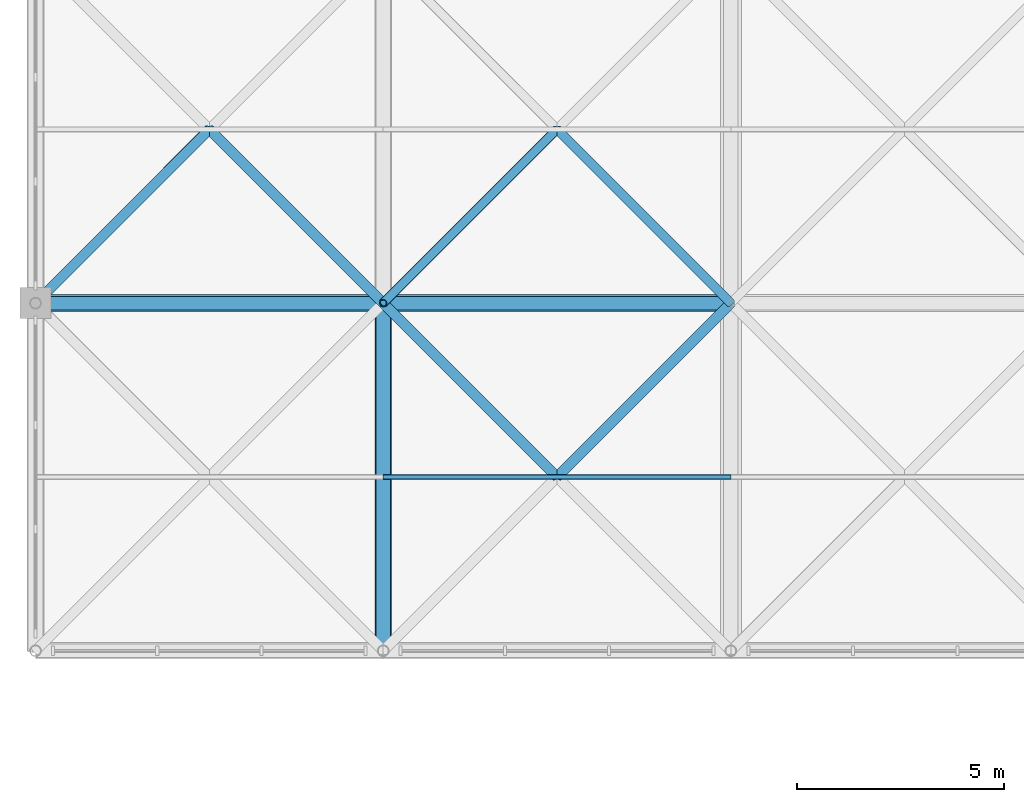
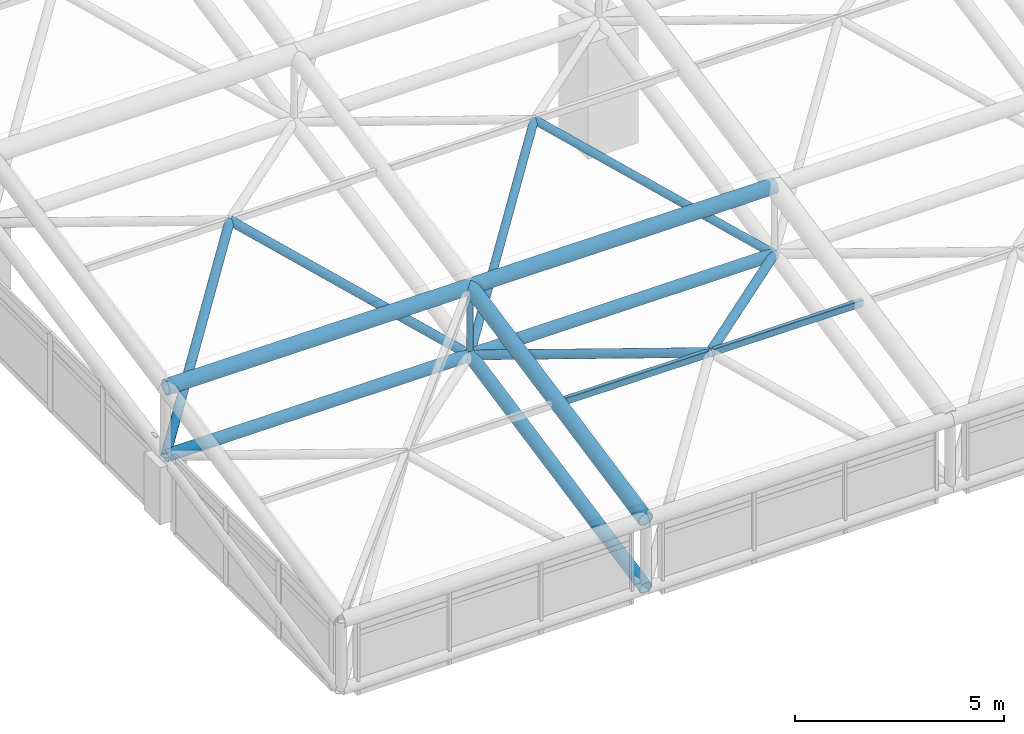
# One storey, part 5 of 81: 14 members.
"""IFC4 building model written with IfcOpenShell, lengths in metres."""

from ifc_helpers import new_model, si_unit, direction, frame, origin, origin_2d, place, context, subcontext, project, spatial, hollow_rectangle, hollow_circle, extrude, material, material_profile, profile_set, type_object, element, save


model = new_model("IFC4")

# Units and contexts
model_context = context("Model", 3, precision=1e-05, world=origin(), true_north=direction((0.0, 1.0)))
body_context = subcontext(model_context, "Body", "Model", "MODEL_VIEW")
ifc_project = project(units=[si_unit("LENGTHUNIT", "METRE"), si_unit("AREAUNIT", "SQUARE_METRE"), si_unit("VOLUMEUNIT", "CUBIC_METRE"), si_unit("PLANEANGLEUNIT", "RADIAN"), si_unit("MASSUNIT", "GRAM", prefix="KILO")], contexts=[model_context])

# Site, building, storey
site_placement = place(None, origin())
site = spatial("IfcSite", under=ifc_project, at=site_placement, CompositionType="ELEMENT")
building_placement = place(site_placement, origin())
building = spatial("IfcBuilding", under=site, at=building_placement, Name="Qawsi Khor Wholesale Market", CompositionType="ELEMENT")
storey_placement = place(building_placement, frame((0.0, 0.0, 16.199951171875)))
storey = spatial("IfcBuildingStorey", under=building, at=storey_placement, Name="L03", CompositionType="ELEMENT", Elevation=16.199951171875)

# Members
ifc_material = material(Name="Steel S355", Category="steel")
ifc_material_profile_1 = material_profile(ifc_material, hollow_circle(Radius=0.177734375, WallThickness=0.01611328125, at=origin_2d()), Name="CHS 355.6x16.0")
ifc_profile_set_1 = profile_set([ifc_material_profile_1], Name="Steel S355")
member_type_1 = type_object("IfcMemberType", Name="Space-Frame Bottom Chord CHS 355.6x16.0", PredefinedType="CHORD", material=ifc_profile_set_1)
member_1_placement = place(storey_placement, frame((8.39990234375, 42.0, -0.030029296875), z_axis=(0.0, 0.9801244518, 0.198383615716), x_axis=(-1.0, 0.0, 0.0)))
element("IfcMember", 1, at=member_1_placement, inside=storey, type_object=member_type_1, Name="Space frame bottom chord Y WH (1,5)", PredefinedType="CHORD", context=body_context, shape_type="SweptSolid", body=[
    extrude(hollow_circle(Radius=0.177734375, WallThickness=0.01611328125, at=origin_2d()), origin(), (0.0, 0.0, 1.0), 8.5703125),
])
ifc_material_profile_2 = material_profile(ifc_material, hollow_circle(Radius=0.122314453125, WallThickness=0.012451171875, at=origin_2d()), Name="CHS 244.5x12.5")
ifc_profile_set_2 = profile_set([ifc_material_profile_2], Name="Steel S355")
member_type_2 = type_object("IfcMemberType", Name="Space-Frame Heavy Diagonal CHS 244.5x12.5", PredefinedType="POST", material=ifc_profile_set_2)
for number, where, z_axis, x_axis, name in (
    (2, (0.0, 50.39990234375, 1.670166015625), (0.637506899628, 0.637543957519, 0.432576762155), (-0.707127332136, 0.70708622964, 0.0), "Space frame diagonal WH (0,6)-1"),
    (3, (8.39990234375, 50.39990234375, 1.670166015625), (-0.637506899628, 0.637543957519, 0.432576762155), (-0.707127332136, -0.70708622964, 0.0), "Space frame diagonal WH (0,6)-2"),
):
    element("IfcMember", number, at=place(storey_placement, frame(where, z_axis=z_axis, x_axis=x_axis)), inside=storey, type_object=member_type_2, Name=name, PredefinedType="POST", context=body_context, shape_type="SweptSolid", body=[
        extrude(hollow_circle(Radius=0.122314453125, WallThickness=0.012451171875, at=origin_2d()), origin(), (0.0, 0.0, 1.0), 6.588134765625),
    ])
member_2_placement = place(storey_placement, frame((16.800048828125, 50.39990234375, 1.670166015625), z_axis=(-0.694216714393, -0.694216714393, 0.190069216113), x_axis=(0.707106781187, -0.707106781187, 0.0)))
element("IfcMember", 4, at=member_2_placement, inside=storey, type_object=member_type_2, Name="Space frame diagonal WH (1,5)-3", PredefinedType="POST", context=body_context, shape_type="SweptSolid", body=[
    extrude(hollow_circle(Radius=0.122314453125, WallThickness=0.012451171875, at=origin_2d()), origin(), (0.0, 0.0, 1.0), 6.0498046875),
])
member_3_placement = place(storey_placement, frame((8.39990234375, 50.39990234375, 1.670166015625), z_axis=(0.694237619642, -0.694197266374, 0.19006389145), x_axis=(0.70708622964, 0.707127332136, 0.0)))
element("IfcMember", 5, at=member_3_placement, inside=storey, type_object=member_type_2, Name="Space frame diagonal WH (1,5)-4", PredefinedType="POST", context=body_context, shape_type="SweptSolid", body=[
    extrude(hollow_circle(Radius=0.122314453125, WallThickness=0.012451171875, at=origin_2d()), origin(), (0.0, 0.0, 1.0), 6.050048828125),
])
ifc_material_profile_3 = material_profile(ifc_material, hollow_rectangle(XDim=0.1201171875, YDim=0.199951171875, WallThickness=0.008056640625, InnerFilletRadius=0.008056640625, OuterFilletRadius=0.01611328125, at=origin_2d()), Name="RHS 200x120x8.0")
ifc_profile_set_3 = profile_set([ifc_material_profile_3], Name="Steel S355")
member_type_3 = type_object("IfcMemberType", Name="Space-Frame Heavy Purlin RHS 200x120x8.0", PredefinedType="PURLIN", material=ifc_profile_set_3)
member_4_placement = place(storey_placement, frame((8.39990234375, 46.199951171875, 2.820068359375), z_axis=(1.0, 0.0, 0.0), x_axis=(0.0, 1.0, 0.0)))
element("IfcMember", 6, at=member_4_placement, inside=storey, type_object=member_type_3, Name="Space frame purlin WH (1,5)", PredefinedType="PURLIN", context=body_context, shape_type="SweptSolid", body=[
    extrude(hollow_rectangle(XDim=0.1201171875, YDim=0.199951171875, WallThickness=0.008056640625, InnerFilletRadius=0.008056640625, OuterFilletRadius=0.01611328125, at=origin_2d()), origin(), (0.0, 0.0, 1.0), 8.400146484375),
])
ifc_material_profile_4 = material_profile(ifc_material, hollow_circle(Radius=0.109619140625, WallThickness=0.010009765625, at=origin_2d()), Name="CHS 219.1x10.0")
ifc_profile_set_4 = profile_set([ifc_material_profile_4], Name="Steel S355")
member_type_4 = type_object("IfcMemberType", Name="Space-Frame Inner Diagonal CHS 219.1x10.0", PredefinedType="RAFTER", material=ifc_profile_set_4)
for number, where, z_axis, x_axis, name in (
    (7, (8.39990234375, 50.39990234375, 1.670166015625), (0.637528895855, 0.637528895855, 0.432566542741), (-0.707106781187, 0.707106781187, 0.0), "Space frame diagonal WH (1,6)-1"),
    (8, (16.800048828125, 50.39990234375, 1.670166015625), (-0.637506899628, 0.637543957519, 0.432576762155), (-0.707127332136, -0.70708622964, 0.0), "Space frame diagonal WH (1,6)-2"),
):
    element("IfcMember", number, at=place(storey_placement, frame(where, z_axis=z_axis, x_axis=x_axis)), inside=storey, type_object=member_type_4, Name=name, PredefinedType="RAFTER", context=body_context, shape_type="SweptSolid", body=[
        extrude(hollow_circle(Radius=0.109619140625, WallThickness=0.010009765625, at=origin_2d()), origin(), (0.0, 0.0, 1.0), 6.588134765625),
    ])
ifc_material_profile_5 = material_profile(ifc_material, hollow_circle(Radius=0.161865234375, WallThickness=0.01611328125, at=origin_2d()), Name="CHS 323.9x16.0")
ifc_profile_set_5 = profile_set([ifc_material_profile_5], Name="Steel S355")
member_type_5 = type_object("IfcMemberType", Name="Space-Frame Secondary Chord CHS 323.9x16.0", PredefinedType="CHORD", material=ifc_profile_set_5)
member_5_placement = place(storey_placement, frame((0.0, 50.39990234375, 1.670166015625), z_axis=(1.0, 0.0, 0.0), x_axis=(0.0, 1.0, 0.0)))
element("IfcMember", 9, at=member_5_placement, inside=storey, type_object=member_type_5, Name="Space frame bottom chord X WH (0,6)", PredefinedType="CHORD", context=body_context, shape_type="SweptSolid", body=[
    extrude(hollow_circle(Radius=0.161865234375, WallThickness=0.01611328125, at=origin_2d()), origin(), (0.0, 0.0, 1.0), 8.39990234375),
])
member_6_placement = place(storey_placement, frame((8.39990234375, 50.39990234375, 1.670166015625), z_axis=(1.0, 0.0, 0.0), x_axis=(0.0, 1.0, 0.0)))
element("IfcMember", 10, at=member_6_placement, inside=storey, type_object=member_type_5, Name="Space frame bottom chord X WH (1,6)", PredefinedType="CHORD", context=body_context, shape_type="SweptSolid", body=[
    extrude(hollow_circle(Radius=0.161865234375, WallThickness=0.01611328125, at=origin_2d()), origin(), (0.0, 0.0, 1.0), 8.400146484375),
])
ifc_material_profile_6 = material_profile(ifc_material, hollow_circle(Radius=0.203125, WallThickness=0.02001953125, at=origin_2d()), Name="CHS 406.4x20.0")
ifc_profile_set_6 = profile_set([ifc_material_profile_6], Name="Steel S355")
member_type_6 = type_object("IfcMemberType", Name="Space-Frame Top Chord CHS 406.4x20.0", PredefinedType="CHORD", material=ifc_profile_set_6)
member_7_placement = place(storey_placement, frame((0.0, 50.39990234375, 3.670166015625), z_axis=(1.0, 0.0, 0.0), x_axis=(0.0, 1.0, 0.0)))
element("IfcMember", 11, at=member_7_placement, inside=storey, type_object=member_type_6, Name="Space frame top chord X WH (0,6)", PredefinedType="CHORD", context=body_context, shape_type="SweptSolid", body=[
    extrude(hollow_circle(Radius=0.203125, WallThickness=0.02001953125, at=origin_2d()), origin(), (0.0, 0.0, 1.0), 8.39990234375),
])
member_8_placement = place(storey_placement, frame((8.39990234375, 42.0, 1.969970703125), z_axis=(0.0, 0.9801244518, 0.198383615716), x_axis=(-1.0, 0.0, 0.0)))
element("IfcMember", 12, at=member_8_placement, inside=storey, type_object=member_type_6, Name="Space frame top chord Y WH (1,5)", PredefinedType="CHORD", context=body_context, shape_type="SweptSolid", body=[
    extrude(hollow_circle(Radius=0.203125, WallThickness=0.02001953125, at=origin_2d()), origin(), (0.0, 0.0, 1.0), 8.5703125),
])
member_9_placement = place(storey_placement, frame((8.39990234375, 50.39990234375, 3.670166015625), z_axis=(1.0, 0.0, 0.0), x_axis=(0.0, 1.0, 0.0)))
element("IfcMember", 13, at=member_9_placement, inside=storey, type_object=member_type_6, Name="Space frame top chord X WH (1,6)", PredefinedType="CHORD", context=body_context, shape_type="SweptSolid", body=[
    extrude(hollow_circle(Radius=0.203125, WallThickness=0.02001953125, at=origin_2d()), origin(), (0.0, 0.0, 1.0), 8.400146484375),
])
ifc_material_profile_7 = material_profile(ifc_material, hollow_circle(Radius=0.084228515625, WallThickness=0.008056640625, at=origin_2d()), Name="CHS 168.3x8.0")
ifc_profile_set_7 = profile_set([ifc_material_profile_7], Name="Steel S355")
member_type_7 = type_object("IfcMemberType", Name="Space-Frame Vertical Strut CHS 168.3x8.0", PredefinedType="STRUT", material=ifc_profile_set_7)
member_10_placement = place(storey_placement, frame((8.39990234375, 50.39990234375, 1.670166015625), z_axis=(0.0, 0.0, 1.0), x_axis=(1.0, 0.0, 0.0)))
element("IfcMember", 14, at=member_10_placement, inside=storey, type_object=member_type_7, Name="Space frame post WH (1,6)", PredefinedType="STRUT", context=body_context, shape_type="SweptSolid", body=[
    extrude(hollow_circle(Radius=0.084228515625, WallThickness=0.008056640625, at=origin_2d()), origin(), (0.0, 0.0, 1.0), 2.0),
])

save(model, "model.ifc")
